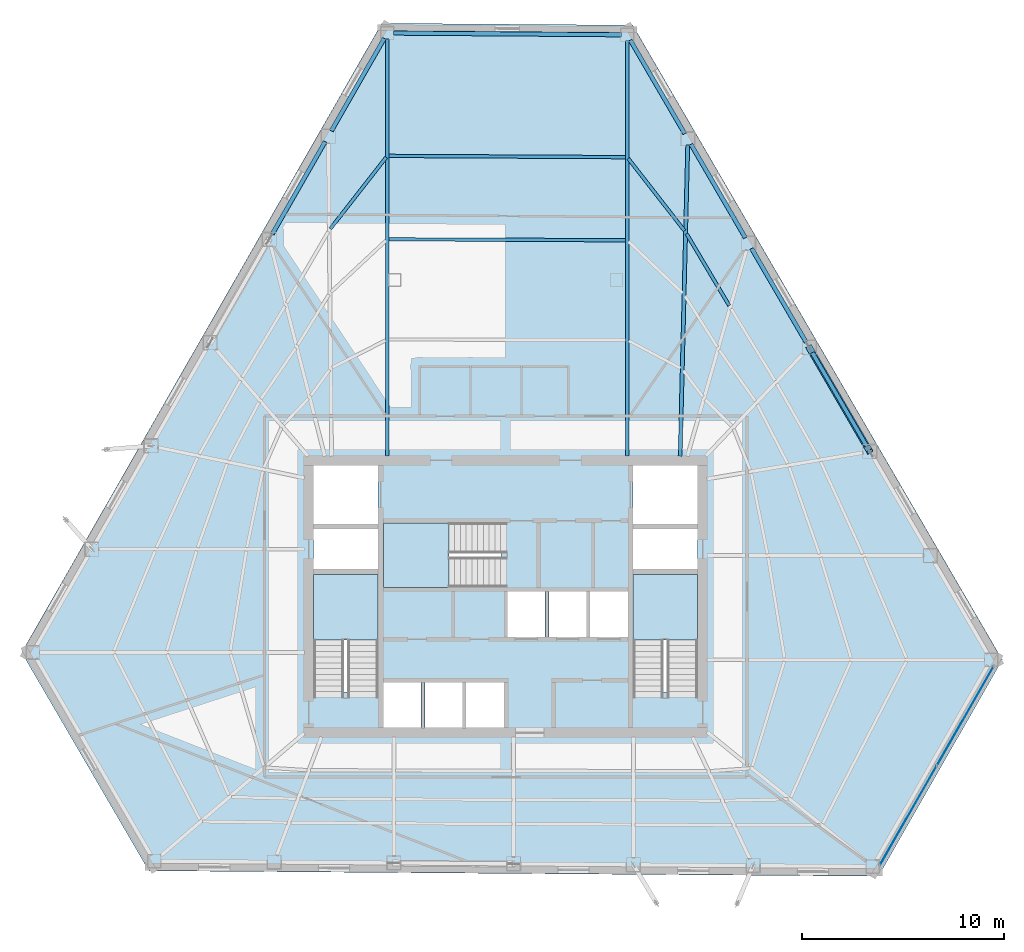
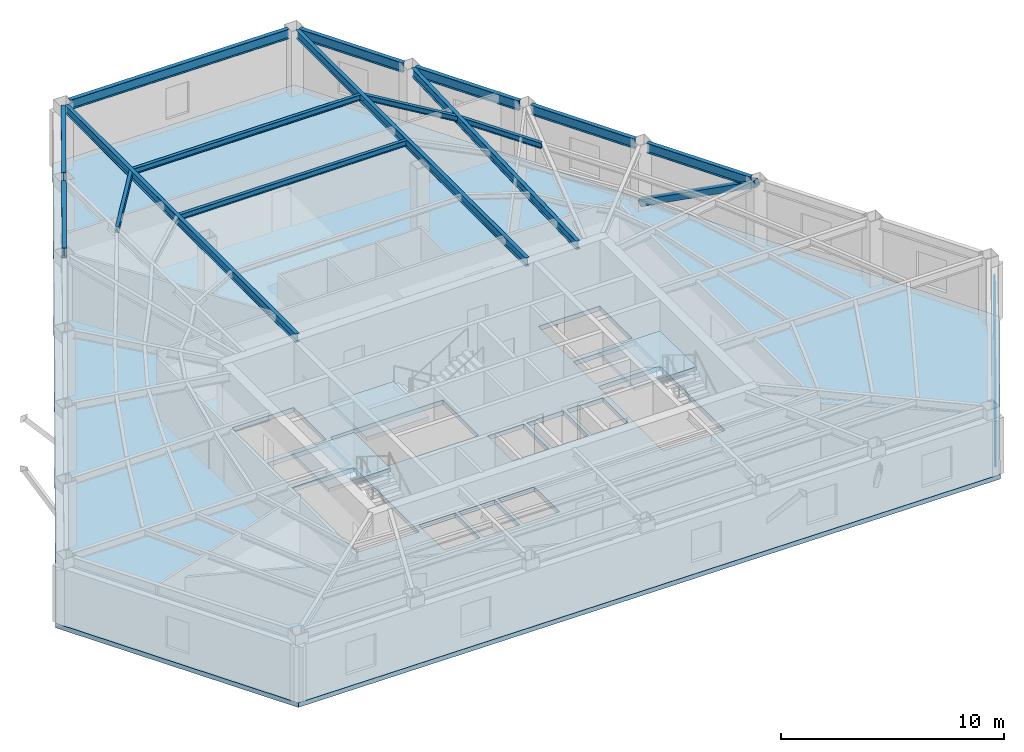
# One storey, part 4 of 13: 15 beams, 4 slabs, 2 plates, 1 member, 4 elements without a shape of their own.
"""IFC4 building model written with IfcOpenShell, lengths in metres."""

import ifcopenshell
import ifcopenshell.guid

model = None  # the IFC model being written
_history = None  # IfcOwnerHistory: only IFC2X3 demands one
_inside = {}  # id of a spatial element -> (the spatial element, [elements in it])
_under = {}  # id of a project, library or spatial element -> (it, [spatial elements below it])
_declared = {}  # id of a project -> (the project, [libraries it declares])
_typed = {}  # id of a type object -> (the type object, [elements of that type])
_made_of = {}  # id of a material, layer set ... -> (it, [elements and type objects made of it])


def new_model(schema):
    """Start an empty IFC model of exactly this schema.

    Asked for "IFC4X3", IfcOpenShell would pick the latest addendum, in which some entities
    have other attributes; the version numbers below select the first issue.
    IFC2X3 requires an IfcOwnerHistory on every rooted entity: one is made here for all.
    """
    global model, _history
    if schema == "IFC4X3":
        model = ifcopenshell.file(schema_version=(4, 3, 0, 0))
    else:
        model = ifcopenshell.file(schema=schema)
    _inside.clear()
    _under.clear()
    _declared.clear()
    _typed.clear()
    _made_of.clear()
    _history = None
    if model.schema == "IFC2X3":
        org = make("IfcOrganization", Name="unknown")
        user = make(
            "IfcPersonAndOrganization",
            ThePerson=make("IfcPerson", FamilyName="unknown"),
            TheOrganization=org,
        )
        app = make(
            "IfcApplication",
            ApplicationDeveloper=org,
            Version="unknown",
            ApplicationFullName="unknown",
            ApplicationIdentifier="unknown",
        )
        _history = make(
            "IfcOwnerHistory",
            OwningUser=user,
            OwningApplication=app,
            ChangeAction="ADDED",
            CreationDate=0,
        )
    return model


def make(cls, **values):
    """One entity of the class cls with the attributes given. An attribute that is None is left unset."""
    return model.create_entity(
        cls, **{name: value for name, value in values.items() if value is not None}
    )


def rooted(cls, **values):
    """An entity with a GlobalId (a new one), such as an element, a storey or a relation."""
    return make(cls, GlobalId=ifcopenshell.guid.new(), OwnerHistory=_history, **values)


def si_unit(unit_type, name, prefix=None):
    """IfcSIUnit, for example si_unit("LENGTHUNIT", "METRE", prefix="MILLI")."""
    return make("IfcSIUnit", UnitType=unit_type, Prefix=prefix, Name=name)


def assignment(units):
    """IfcUnitAssignment: the units of a project."""
    return None if units is None else make("IfcUnitAssignment", Units=units)


def point(xyz):
    """IfcCartesianPoint."""
    return None if xyz is None else make("IfcCartesianPoint", Coordinates=xyz)


def direction(xyz):
    """IfcDirection."""
    return None if xyz is None else make("IfcDirection", DirectionRatios=xyz)


def frame(location, z_axis=None, x_axis=None):
    """IfcAxis2Placement3D, a coordinate frame: its origin and axes. An axis left out is left unset."""
    return make(
        "IfcAxis2Placement3D",
        Location=point(location),
        Axis=direction(z_axis),
        RefDirection=direction(x_axis),
    )


def frame_2d(location, x_axis=None):
    """IfcAxis2Placement2D, a coordinate frame in the plane: its origin and x axis."""
    return make(
        "IfcAxis2Placement2D", Location=point(location), RefDirection=direction(x_axis)
    )


def origin():
    """The frame at (0, 0, 0) with its axes left unset."""
    return frame((0.0, 0.0, 0.0))


def origin_2d():
    """The frame at (0, 0) in the plane with its x axis left unset."""
    return frame_2d((0.0, 0.0))


def place(relative_to, where):
    """IfcLocalPlacement: puts the frame where relative to a parent placement (None: the world)."""
    return make(
        "IfcLocalPlacement", PlacementRelTo=relative_to, RelativePlacement=where
    )


def context(
    kind, dimensions, precision=None, world=None, true_north=None, identifier=None
):
    """IfcGeometricRepresentationContext, for example the 3D "Model" context."""
    return make(
        "IfcGeometricRepresentationContext",
        ContextIdentifier=identifier,
        ContextType=kind,
        CoordinateSpaceDimension=dimensions,
        Precision=precision,
        WorldCoordinateSystem=world,
        TrueNorth=true_north,
    )


def subcontext(parent, identifier, kind, view, scale=None):
    """IfcGeometricRepresentationSubContext, for example "Body" below "Model"."""
    return make(
        "IfcGeometricRepresentationSubContext",
        ContextIdentifier=identifier,
        ContextType=kind,
        ParentContext=parent,
        TargetScale=scale,
        TargetView=view,
    )


def project(units=None, contexts=None):
    """IfcProject with its units and contexts."""
    return rooted(
        "IfcProject",
        Name="project",
        RepresentationContexts=contexts,
        UnitsInContext=assignment(units),
    )


def spatial(cls, under=None, at=None, **own):
    """A site, building, storey or space (cls), placed at a placement, below another one or the project."""
    s = rooted(cls, ObjectPlacement=at, **own)
    if under is not None:
        _under.setdefault(under.id(), (under, []))[1].append(s)
    return s


def polyline(points):
    """IfcPolyline through the points."""
    return make("IfcPolyline", Points=[point(p) for p in points])


def profile(cls, at=None, kind="AREA", **sizes):
    """A parametric profile (cls). Its sizes go by their IFC names, for example OverallWidth=200.0."""
    return make(cls, ProfileType=kind, Position=at, **sizes)


def rectangle(**sizes):
    """IfcRectangleProfileDef."""
    return profile("IfcRectangleProfileDef", **sizes)


def hollow_rectangle(**sizes):
    """IfcRectangleHollowProfileDef."""
    return profile("IfcRectangleHollowProfileDef", **sizes)


def i_section(**sizes):
    """IfcIShapeProfileDef."""
    return profile("IfcIShapeProfileDef", **sizes)


def outline(outer, holes=None, kind="AREA"):
    """IfcArbitraryClosedProfileDef: a profile drawn as a closed curve; with holes, ...WithVoids."""
    if holes is None:
        return make("IfcArbitraryClosedProfileDef", ProfileType=kind, OuterCurve=outer)
    return make(
        "IfcArbitraryProfileDefWithVoids",
        ProfileType=kind,
        OuterCurve=outer,
        InnerCurves=holes,
    )


def extrude(swept, where, along, depth):
    """IfcExtrudedAreaSolid: the profile swept, set in the frame where, extruded along a direction by depth."""
    return make(
        "IfcExtrudedAreaSolid",
        SweptArea=swept,
        Position=where,
        ExtrudedDirection=direction(along),
        Depth=depth,
    )


def shape(context_of_items, identifier, shape_type, items):
    """IfcShapeRepresentation: the items that make up one representation, for example the "Body"."""
    return make(
        "IfcShapeRepresentation",
        ContextOfItems=context_of_items,
        RepresentationIdentifier=identifier,
        RepresentationType=shape_type,
        Items=items,
    )


def material(Name=None, Category=None):
    """IfcMaterial."""
    return make("IfcMaterial", Name=Name, Category=Category)


def layer(
    of_material, thickness, ventilated=None, Name=None, Category=None, Priority=None
):
    """IfcMaterialLayer: one layer of a wall or slab, of a material (None: an air gap)."""
    return make(
        "IfcMaterialLayer",
        Material=of_material,
        LayerThickness=thickness,
        IsVentilated=ventilated,
        Name=Name,
        Category=Category,
        Priority=Priority,
    )


def layer_set(layers, Name=None):
    """IfcMaterialLayerSet."""
    return make("IfcMaterialLayerSet", MaterialLayers=layers, LayerSetName=Name)


def material_profile(
    of_material, cross_section, Name=None, Category=None, Priority=None
):
    """IfcMaterialProfile: a cross section and its material."""
    return make(
        "IfcMaterialProfile",
        Name=Name,
        Material=of_material,
        Profile=cross_section,
        Priority=Priority,
        Category=Category,
    )


def profile_set(profiles, Name=None, composite=None):
    """IfcMaterialProfileSet."""
    return make(
        "IfcMaterialProfileSet",
        Name=Name,
        MaterialProfiles=profiles,
        CompositeProfile=composite,
    )


def made_of(thing, what):
    """Note that an element or type object is made of a material, layer set ...; save() writes the relation."""
    if what is not None:
        _made_of.setdefault(what.id(), (what, []))[1].append(thing)
    return thing


def type_object(cls, material=None, **own):
    """A type object (cls), such as IfcWallType, which elements share."""
    return made_of(rooted(cls, **own), material)


def element(
    cls,
    number,
    at=None,
    inside=None,
    cuts=None,
    type_object=None,
    material=None,
    context=None,
    identifier="Body",
    shape_type=None,
    held_by="IfcProductDefinitionShape",
    body=None,
    shapes=None,
    **own,
):
    """One element of the class cls, such as IfcWall. Its Tag is "e" and its number.

    at: its placement. inside: the storey or other place that contains it. cuts: it is an
    opening in that element (IfcRelVoidsElement). A single representation is given by context,
    identifier, shape_type and body (its items); several are given by shapes. held_by: the class
    of the entity that holds the representations. save() writes the other relations.
    """
    e = rooted(cls, Tag="e%d" % number, ObjectPlacement=at, **own)
    if body is not None:
        shapes = [shape(context, identifier, shape_type, body)]
    if shapes is not None:
        e.Representation = make(held_by, Representations=shapes)
    if inside is not None:
        _inside.setdefault(inside.id(), (inside, []))[1].append(e)
    if cuts is not None:
        rooted(
            "IfcRelVoidsElement", RelatingBuildingElement=cuts, RelatedOpeningElement=e
        )
    if type_object is not None:
        _typed.setdefault(type_object.id(), (type_object, []))[1].append(e)
    return made_of(e, material)


def aggregate(whole, parts):
    """IfcRelAggregates: a whole, such as a stair, and the parts it consists of."""
    return rooted("IfcRelAggregates", RelatingObject=whole, RelatedObjects=parts)


def save(model, path):
    """Write the relations noted so far, then the file.

    IfcRelAggregates (storeys below a building ...), IfcRelContainedInSpatialStructure (elements
    in a storey), IfcRelDefinesByType, IfcRelAssociatesMaterial and IfcRelDeclares: one each for
    every whole, place, type object, material and project.
    """
    for whole, parts in _under.values():
        aggregate(whole, parts)
    for where, things in _inside.values():
        rooted(
            "IfcRelContainedInSpatialStructure",
            RelatedElements=things,
            RelatingStructure=where,
        )
    for kind, things in _typed.values():
        rooted("IfcRelDefinesByType", RelatedObjects=things, RelatingType=kind)
    for what, things in _made_of.values():
        rooted("IfcRelAssociatesMaterial", RelatedObjects=things, RelatingMaterial=what)
    for by, libraries in _declared.values():
        rooted("IfcRelDeclares", RelatingContext=by, RelatedDefinitions=libraries)
    model.write(path)


model = new_model("IFC4")

# Units and contexts
model_context = context("Model", 3, precision=1e-05, world=origin(), true_north=direction((0.0, 1.0)))
body_context = subcontext(model_context, "Body", "Model", "MODEL_VIEW")
ifc_project = project(units=[si_unit("LENGTHUNIT", "METRE"), si_unit("AREAUNIT", "SQUARE_METRE"), si_unit("VOLUMEUNIT", "CUBIC_METRE"), si_unit("PLANEANGLEUNIT", "RADIAN"), si_unit("MASSUNIT", "GRAM", prefix="KILO")], contexts=[model_context])

# Site, building, storey
site_placement = place(None, origin())
site = spatial("IfcSite", under=ifc_project, at=site_placement, CompositionType="ELEMENT")
building_placement = place(site_placement, origin())
building = spatial("IfcBuilding", under=site, at=building_placement, Name="Kavelnor Concourse Tower", CompositionType="ELEMENT")
storey_placement = place(building_placement, frame((0.0, 0.0, 116.300048828125)))
storey = spatial("IfcBuildingStorey", under=building, at=storey_placement, Name="L29", CompositionType="ELEMENT", Elevation=116.300048828125)

# Beams
ifc_material_1 = material(Name="Steel Grade 350", Category="steel")
ifc_material_profile_1 = material_profile(ifc_material_1, i_section(OverallWidth=0.166015625, OverallDepth=0.306884765625, WebThickness=0.006591796875, FlangeThickness=0.01171875, at=origin_2d()), Name="310UB46")
ifc_profile_set_1 = profile_set([ifc_material_profile_1], Name="Steel Grade 350")
beam_type_1 = type_object("IfcBeamType", Name="BM-JOIST-310", PredefinedType="JOIST", material=ifc_profile_set_1)
beam_1_placement = place(storey_placement, frame((49.08740234375, 30.529541015625, 3.446533203125), z_axis=(-0.510526516637, 0.85986200975, 0.0), x_axis=(-0.85986200975, -0.510526516637, 0.0)))
element("IfcBeam", 1, at=beam_1_placement, inside=storey, type_object=beam_type_1, Name="L29 Secondary Composite Joist 13-3", PredefinedType="JOIST", context=body_context, shape_type="SweptSolid", body=[
    extrude(i_section(OverallWidth=0.166015625, OverallDepth=0.306884765625, WebThickness=0.006591796875, FlangeThickness=0.01171875, at=origin_2d()), origin(), (0.0, 0.0, 1.0), 4.1484375),
])
beam_2_placement = place(storey_placement, frame((46.869384765625, 34.243408203125, 3.446533203125), z_axis=(-0.614294579824, 0.789076782828, 0.0), x_axis=(-0.789076782828, -0.614294579824, 0.0)))
element("IfcBeam", 2, at=beam_2_placement, inside=storey, type_object=beam_type_1, Name="L29 Secondary Composite Joist 14-3", PredefinedType="JOIST", context=body_context, shape_type="SweptSolid", body=[
    extrude(i_section(OverallWidth=0.166015625, OverallDepth=0.306884765625, WebThickness=0.006591796875, FlangeThickness=0.01171875, at=origin_2d()), origin(), (0.0, 0.0, 1.0), 4.535400390625),
])
beam_3_placement = place(storey_placement, frame((43.939697265625, 33.772705078125, 3.446533203125), z_axis=(-0.999992491959, 0.003875051637, 0.0), x_axis=(-0.003875051637, -0.999992491959, 0.0)))
element("IfcBeam", 3, at=beam_3_placement, inside=storey, type_object=beam_type_1, Name="L29 Secondary Composite Joist 15-2", PredefinedType="JOIST", context=body_context, shape_type="SweptSolid", body=[
    extrude(i_section(OverallWidth=0.166015625, OverallDepth=0.306884765625, WebThickness=0.006591796875, FlangeThickness=0.01171875, at=origin_2d()), origin(), (0.0, 0.0, 1.0), 11.718505859375),
])
beam_4_placement = place(storey_placement, frame((43.939697265625, 37.89306640625, 3.446533203125), z_axis=(-0.999985666161, 0.005354201467, 0.0), x_axis=(-0.005354201467, -0.999985666161, 0.0)))
element("IfcBeam", 4, at=beam_4_placement, inside=storey, type_object=beam_type_1, Name="L29 Secondary Composite Joist 15-3", PredefinedType="JOIST", context=body_context, shape_type="SweptSolid", body=[
    extrude(i_section(OverallWidth=0.166015625, OverallDepth=0.306884765625, WebThickness=0.006591796875, FlangeThickness=0.01171875, at=origin_2d()), origin(), (0.0, 0.0, 1.0), 11.71875),
])
beam_5_placement = place(storey_placement, frame((32.077392578125, 37.88623046875, 3.446533203125), z_axis=(-0.615951345133, -0.78778419661, 0.0), x_axis=(0.78778419661, -0.615951345133, 0.0)))
element("IfcBeam", 5, at=beam_5_placement, inside=storey, type_object=beam_type_1, Name="L29 Secondary Composite Joist 16-3", PredefinedType="JOIST", context=body_context, shape_type="SweptSolid", body=[
    extrude(i_section(OverallWidth=0.166015625, OverallDepth=0.306884765625, WebThickness=0.006591796875, FlangeThickness=0.01171875, at=origin_2d()), origin(), (0.0, 0.0, 1.0), 4.501220703125),
])
ifc_material_profile_2 = material_profile(ifc_material_1, i_section(OverallWidth=0.18994140625, OverallDepth=0.4541015625, WebThickness=0.008544921875, FlangeThickness=0.0126953125, at=origin_2d()), Name="460UB67")
ifc_profile_set_2 = profile_set([ifc_material_profile_2], Name="Steel Grade 350")
beam_type_2 = type_object("IfcBeamType", Name="BM-PRIMARY-460", PredefinedType="BEAM", material=ifc_profile_set_2)
beam_6_placement = place(storey_placement, frame((32.132080078125, 23.06005859375, 3.373046875), z_axis=(0.0, 1.0, 0.0), x_axis=(-1.0, 0.0, 0.0)))
element("IfcBeam", 6, at=beam_6_placement, inside=storey, type_object=beam_type_2, Name="L29 Primary Floor Girder F0-B0", PredefinedType="BEAM", context=body_context, shape_type="SweptSolid", body=[
    extrude(i_section(OverallWidth=0.18994140625, OverallDepth=0.4541015625, WebThickness=0.008544921875, FlangeThickness=0.0126953125, at=origin_2d()), origin(), (0.0, 0.0, 1.0), 20.689453125),
])
beam_7_placement = place(storey_placement, frame((46.6533203125, 23.06005859375, 3.373046875), z_axis=(0.024351771018, 0.999703451654, 0.0), x_axis=(-0.999703451654, 0.024351771018, 0.0)))
element("IfcBeam", 7, at=beam_7_placement, inside=storey, type_object=beam_type_2, Name="L29 Primary Floor Girder F2-B5", PredefinedType="BEAM", context=body_context, shape_type="SweptSolid", body=[
    extrude(i_section(OverallWidth=0.18994140625, OverallDepth=0.4541015625, WebThickness=0.008544921875, FlangeThickness=0.0126953125, at=origin_2d()), origin(), (0.0, 0.0, 1.0), 15.439453125),
])
beam_8_placement = place(storey_placement, frame((44.028564453125, 23.06005859375, 3.373046875), z_axis=(0.0, 1.0, 0.0), x_axis=(-1.0, 0.0, 0.0)))
element("IfcBeam", 8, at=beam_8_placement, inside=storey, type_object=beam_type_2, Name="L29 Primary Floor Girder F2-B6", PredefinedType="BEAM", context=body_context, shape_type="SweptSolid", body=[
    extrude(i_section(OverallWidth=0.18994140625, OverallDepth=0.4541015625, WebThickness=0.008544921875, FlangeThickness=0.0126953125, at=origin_2d()), origin(), (0.0, 0.0, 1.0), 20.600830078125),
])
ifc_material_profile_3 = material_profile(ifc_material_1, i_section(OverallWidth=0.208984375, OverallDepth=0.532958984375, WebThickness=0.01025390625, FlangeThickness=0.015625, at=origin_2d()), Name="530UB92")
ifc_profile_set_3 = profile_set([ifc_material_profile_3], Name="Steel Grade 350")
beam_type_3 = type_object("IfcBeamType", Name="BM-SPANDREL-Z2", PredefinedType="SPANDREL", material=ifc_profile_set_3)
beam_9_placement = place(storey_placement, frame((31.980712890625, 43.78466796875, 3.33349609375), z_axis=(-0.496750285507, -0.86789351527, 0.0), x_axis=(0.86789351527, -0.496750285507, 0.0)))
element("IfcBeam", 9, at=beam_9_placement, inside=storey, type_object=beam_type_3, Name="L29 Perimeter Tube Spandrel Beam F0-B0", PredefinedType="SPANDREL", context=body_context, shape_type="SweptSolid", body=[
    extrude(i_section(OverallWidth=0.208984375, OverallDepth=0.532958984375, WebThickness=0.01025390625, FlangeThickness=0.015625, at=origin_2d()), origin(), (0.0, 0.0, 1.0), 5.288818359375),
])
beam_10_placement = place(storey_placement, frame((29.050537109375, 38.665283203125, 3.33349609375), z_axis=(-0.496730384479, -0.867904905583, 0.0), x_axis=(0.867904905583, -0.496730384479, 0.0)))
element("IfcBeam", 10, at=beam_10_placement, inside=storey, type_object=beam_type_3, Name="L29 Perimeter Tube Spandrel Beam F0-B1", PredefinedType="SPANDREL", context=body_context, shape_type="SweptSolid", body=[
    extrude(i_section(OverallWidth=0.208984375, OverallDepth=0.532958984375, WebThickness=0.01025390625, FlangeThickness=0.015625, at=origin_2d()), origin(), (0.0, 0.0, 1.0), 5.2890625),
])
beam_11_placement = place(storey_placement, frame((43.7236328125, 43.963134765625, 3.33349609375), z_axis=(-0.999972315298, 0.007441010545, 0.0), x_axis=(-0.007441010545, -0.999972315298, 0.0)))
element("IfcBeam", 11, at=beam_11_placement, inside=storey, type_object=beam_type_3, Name="L29 Chamfer Facet Spandrel Beam C0", PredefinedType="SPANDREL", context=body_context, shape_type="SweptSolid", body=[
    extrude(i_section(OverallWidth=0.208984375, OverallDepth=0.532958984375, WebThickness=0.01025390625, FlangeThickness=0.015625, at=origin_2d()), origin(), (0.0, 0.0, 1.0), 11.28662109375),
])
for number, where, z_axis, x_axis, name in (
    (12, (55.907470703125, 23.560791015625, 3.33349609375), (-0.503214805671, 0.864161361872, 0.0), (-0.864161361872, -0.503214805671, 0.0), "L29 Perimeter Tube Spandrel Beam F2-B2"),
    (13, (52.8994140625, 28.7265625, 3.33349609375), (-0.503195027992, 0.864172878424, 0.0), (-0.864172878424, -0.503195027992, 0.0), "L29 Perimeter Tube Spandrel Beam F2-B3"),
    (14, (49.891357421875, 33.892578125, 3.33349609375), (-0.503214805671, 0.864161361872, 0.0), (-0.864161361872, -0.503214805671, 0.0), "L29 Perimeter Tube Spandrel Beam F2-B4"),
    (15, (46.88330078125, 39.05859375, 3.33349609375), (-0.503214805671, 0.864161361872, 0.0), (-0.864161361872, -0.503214805671, 0.0), "L29 Perimeter Tube Spandrel Beam F2-B5"),
):
    element("IfcBeam", number, at=place(storey_placement, frame(where, z_axis=z_axis, x_axis=x_axis)), inside=storey, type_object=beam_type_3, Name=name, PredefinedType="SPANDREL", context=body_context, shape_type="SweptSolid", body=[
        extrude(i_section(OverallWidth=0.208984375, OverallDepth=0.532958984375, WebThickness=0.01025390625, FlangeThickness=0.015625, at=origin_2d()), origin(), (0.0, 0.0, 1.0), 5.367919921875),
    ])

# Member
ifc_material_profile_4 = material_profile(ifc_material_1, hollow_rectangle(XDim=0.320068359375, YDim=0.320068359375, WallThickness=0.01806640625, at=origin_2d()), Name="SHS 320x320x18")
ifc_profile_set_4 = profile_set([ifc_material_profile_4], Name="Steel Grade 350")
member_type = type_object("IfcMemberType", Name="MBR-TUBE-DIAG-Z2", PredefinedType="BRACE", material=ifc_profile_set_4)
member_placement = place(storey_placement, frame((53.052978515625, 28.462890625, 0.219970703125), z_axis=(0.446299007665, -0.766434599722, 0.461947183244), x_axis=(0.86416526537, 0.503208102208, 0.0)))
element("IfcMember", 16, at=member_placement, inside=storey, type_object=member_type, Name="L29 Framed-Tube Bracing Diagonal F2-B2", PredefinedType="BRACE", context=body_context, shape_type="SweptSolid", body=[
    extrude(hollow_rectangle(XDim=0.320068359375, YDim=0.320068359375, WallThickness=0.01806640625, at=origin_2d()), origin(), (0.0, 0.0, 1.0), 6.739990234375),
])

# Curtain wall, plates
ifc_material_2 = material(Name="Anodised aluminium 6063-T6", Category="aluminium")
ifc_layer_1 = layer(ifc_material_2, 0.155029296875, Name="Anodised aluminium 6063-T6")
ifc_layer_set_1 = layer_set([ifc_layer_1], Name="Anodised aluminium 6063-T6")
curtain_wall_type = type_object("IfcCurtainWallType", Name="CW-CORNER-ACCENT", PredefinedType="NOTDEFINED", material=ifc_layer_set_1)
curtain_wall_placement = place(storey_placement, origin())
curtain_wall = element("IfcCurtainWall", 17, at=curtain_wall_placement, inside=storey, type_object=curtain_wall_type, Name="L29 Chamfer Corner Glazed Accent C2", PredefinedType="NOTDEFINED")
ifc_material_3 = material(Name="Double low-E argon insulated glazing", Category="glass")
ifc_layer_2 = layer(ifc_material_3, 0.02587890625, Name="Double low-E argon insulated glazing")
ifc_layer_set_2 = layer_set([ifc_layer_2], Name="Double low-E argon insulated glazing")
plate_type = type_object("IfcPlateType", Name="CW-CORNER-ACCENT-PANEL", PredefinedType="CURTAIN_PANEL", material=ifc_layer_set_2)
plate_1_placement = place(storey_placement, frame((60.788818359375, 10.170654296875, 0.059814453125), z_axis=(0.0, 0.0, 1.0), x_axis=(-0.496822499816, -0.867852178471, 0.0)))
plate_1 = element("IfcPlate", 18, at=plate_1_placement, type_object=plate_type, Name="L29 Chamfer Corner Glazed Accent C2 Vision Panel 1", PredefinedType="CURTAIN_PANEL", context=body_context, shape_type="SweptSolid", body=[
    extrude(rectangle(XDim=5.631103515625, YDim=0.02587890625, at=origin_2d()), origin(), (0.0, 0.0, 1.0), 2.580078125),
])
plate_2_placement = place(storey_placement, frame((57.964599609375, 5.236572265625, 0.059814453125), z_axis=(0.0, 0.0, 1.0), x_axis=(-0.496822499816, -0.867852178471, 0.0)))
plate_2 = element("IfcPlate", 19, at=plate_2_placement, type_object=plate_type, Name="L29 Chamfer Corner Glazed Accent C2 Vision Panel 2", PredefinedType="CURTAIN_PANEL", context=body_context, shape_type="SweptSolid", body=[
    extrude(rectangle(XDim=5.631103515625, YDim=0.02587890625, at=origin_2d()), origin(), (0.0, 0.0, 1.0), 2.580078125),
])
aggregate(curtain_wall, [plate_1, plate_2])

# Stair, slab
ifc_material_4 = material(Name="Concrete C40/50", Category="concrete")
stair_type = type_object("IfcStairType", Name="STR-CORE-1500", PredefinedType="HALF_TURN_STAIR", material=ifc_material_4)
stair_1_placement = place(storey_placement, origin())
stair_1 = element("IfcStair", 20, at=stair_1_placement, inside=storey, type_object=stair_type, Name="L29 ST1", PredefinedType="HALF_TURN_STAIR")
ifc_layer_3 = layer(ifc_material_4, 0.199951171875, Name="Concrete C40/50")
ifc_layer_set_3 = layer_set([ifc_layer_3], Name="Concrete C40/50")
slab_type_1 = type_object("IfcSlabType", Name="SLB-LANDING-200", PredefinedType="LANDING", material=ifc_layer_set_3)
slab_1_placement = place(storey_placement, frame((0.0, 0.0, 1.724853515625)))
slab_1 = element("IfcSlab", 21, at=slab_1_placement, type_object=slab_type_1, Name="ST1 landing 1", PredefinedType="LANDING", context=body_context, shape_type="SweptSolid", body=[
    extrude(outline(polyline([(31.679931640625, 13.949951171875), (31.679931640625, 17.199951171875), (28.47998046875, 17.199951171875), (28.47998046875, 13.949951171875), (31.679931640625, 13.949951171875)])), origin(), (0.0, 0.0, 1.0), 0.2001953125),
])
aggregate(stair_1, [slab_1])

stair_2_placement = place(storey_placement, origin())
stair_2 = element("IfcStair", 22, at=stair_2_placement, inside=storey, type_object=stair_type, Name="L29 ST2", PredefinedType="HALF_TURN_STAIR")
slab_2_placement = place(storey_placement, frame((0.0, 0.0, 1.724853515625)))
slab_2 = element("IfcSlab", 23, at=slab_2_placement, type_object=slab_type_1, Name="ST2 landing 1", PredefinedType="LANDING", context=body_context, shape_type="SweptSolid", body=[
    extrude(outline(polyline([(47.52001953125, 13.949951171875), (47.52001953125, 17.199951171875), (44.320068359375, 17.199951171875), (44.320068359375, 13.949951171875), (47.52001953125, 13.949951171875)])), origin(), (0.0, 0.0, 1.0), 0.2001953125),
])
aggregate(stair_2, [slab_2])

stair_3_placement = place(storey_placement, origin())
stair_3 = element("IfcStair", 24, at=stair_3_placement, inside=storey, type_object=stair_type, Name="L29 ST3", PredefinedType="HALF_TURN_STAIR")
slab_3_placement = place(storey_placement, frame((0.0, 0.0, 1.724853515625)))
slab_3 = element("IfcSlab", 25, at=slab_3_placement, type_object=slab_type_1, Name="ST3 landing 1", PredefinedType="LANDING", context=body_context, shape_type="SweptSolid", body=[
    extrude(outline(polyline([(35.18994140625, 19.760009765625), (31.93994140625, 19.760009765625), (31.93994140625, 16.56005859375), (35.18994140625, 16.56005859375), (35.18994140625, 19.760009765625)])), origin(), (0.0, 0.0, 1.0), 0.2001953125),
])
aggregate(stair_3, [slab_3])

# Slab
ifc_layer_4 = layer(ifc_material_4, 0.25, Name="Concrete C40/50")
ifc_layer_set_4 = layer_set([ifc_layer_4], Name="Concrete C40/50")
slab_type_2 = type_object("IfcSlabType", Name="SLB-OFFICE-250", PredefinedType="FLOOR", material=ifc_layer_set_4)
slab_4_placement = place(storey_placement, frame((0.0, 0.0, -0.25)))
element("IfcSlab", 26, at=slab_4_placement, inside=storey, type_object=slab_type_2, Name="L29 Composite Structural Floor Slab", PredefinedType="FLOOR", context=body_context, shape_type="SweptSolid", body=[
    extrude(outline(polyline([(44.3056640625, 44.438720703125), (31.85498046875, 44.531494140625), (13.99658203125, 13.330078125), (20.302490234375, 2.501220703125), (56.486572265625, 2.231201171875), (62.63134765625, 12.96728515625), (44.3056640625, 44.438720703125)]), holes=[polyline([(28.47998046875, 11.3798828125), (31.679931640625, 11.3798828125), (31.679931640625, 17.199951171875), (28.47998046875, 17.199951171875), (28.47998046875, 11.3798828125)]), polyline([(44.320068359375, 11.3798828125), (47.52001953125, 11.3798828125), (47.52001953125, 17.199951171875), (44.320068359375, 17.199951171875), (44.320068359375, 11.3798828125)]), polyline([(31.93994140625, 16.56005859375), (37.760009765625, 16.56005859375), (37.760009765625, 19.760009765625), (31.93994140625, 19.760009765625), (31.93994140625, 16.56005859375)]), polyline([(28.47998046875, 19.699951171875), (31.679931640625, 19.699951171875), (31.679931640625, 22.60009765625), (28.47998046875, 22.60009765625), (28.47998046875, 19.699951171875)]), polyline([(44.320068359375, 19.699951171875), (47.52001953125, 19.699951171875), (47.52001953125, 22.60009765625), (44.320068359375, 22.60009765625), (44.320068359375, 19.699951171875)]), polyline([(38.090087890625, 14.10009765625), (39.9599609375, 14.10009765625), (39.9599609375, 16.340087890625), (38.090087890625, 16.340087890625), (38.090087890625, 14.10009765625)]), polyline([(40.139892578125, 14.10009765625), (42.010009765625, 14.10009765625), (42.010009765625, 16.340087890625), (40.139892578125, 16.340087890625), (40.139892578125, 14.10009765625)]), polyline([(42.18994140625, 14.10009765625), (44.06005859375, 14.10009765625), (44.06005859375, 16.340087890625), (42.18994140625, 16.340087890625), (42.18994140625, 14.10009765625)]), polyline([(31.93994140625, 9.60009765625), (33.81005859375, 9.60009765625), (33.81005859375, 11.840087890625), (31.93994140625, 11.840087890625), (31.93994140625, 9.60009765625)]), polyline([(33.989990234375, 9.60009765625), (35.860107421875, 9.60009765625), (35.860107421875, 11.840087890625), (33.989990234375, 11.840087890625), (33.989990234375, 9.60009765625)]), polyline([(36.0400390625, 9.60009765625), (37.909912109375, 9.60009765625), (37.909912109375, 11.840087890625), (36.0400390625, 11.840087890625), (36.0400390625, 9.60009765625)]), polyline([(28.47998046875, 17.4599609375), (31.679931640625, 17.4599609375), (31.679931640625, 19.43994140625), (28.47998046875, 19.43994140625), (28.47998046875, 17.4599609375)]), polyline([(44.320068359375, 17.4599609375), (47.52001953125, 17.4599609375), (47.52001953125, 19.43994140625), (44.320068359375, 19.43994140625), (44.320068359375, 17.4599609375)])]), origin(), (0.0, 0.0, 1.0), 0.25),
])

save(model, "model.ifc")
